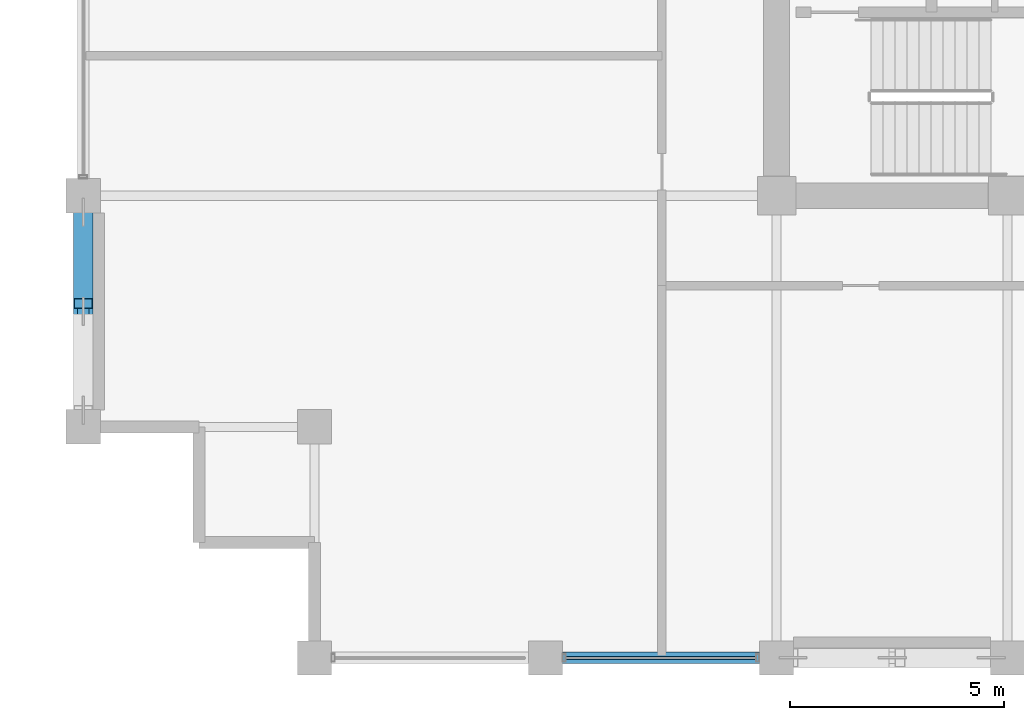
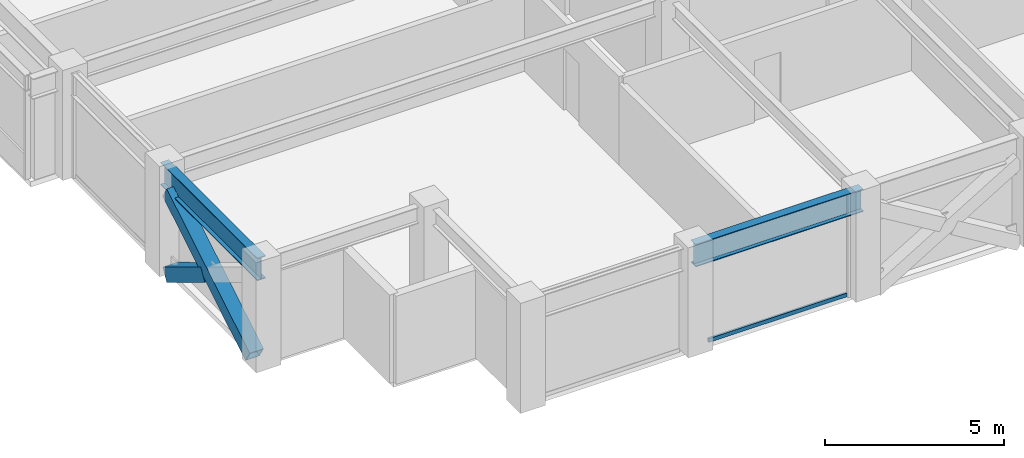
# One storey, part 3 of 32: 3 members, 2 beams, 1 element without a shape of its own.
"""IFC4 building model written with IfcOpenShell, lengths in metres."""

from ifc_helpers import new_model, si_unit, direction, frame, origin, origin_2d, place, context, subcontext, project, spatial, hollow_rectangle, i_section, extrude, material, layer, layer_set, material_profile, profile_set, type_object, element, aggregate, save


model = new_model("IFC4")

# Units and contexts
model_context = context("Model", 3, precision=1e-05, world=origin(), true_north=direction((0.0, 1.0)))
body_context = subcontext(model_context, "Body", "Model", "MODEL_VIEW")
ifc_project = project(units=[si_unit("LENGTHUNIT", "METRE"), si_unit("AREAUNIT", "SQUARE_METRE"), si_unit("VOLUMEUNIT", "CUBIC_METRE"), si_unit("PLANEANGLEUNIT", "RADIAN"), si_unit("MASSUNIT", "GRAM", prefix="KILO")], contexts=[model_context])

# Site, building, storey
site_placement = place(None, origin())
site = spatial("IfcSite", under=ifc_project, at=site_placement, CompositionType="ELEMENT")
building_placement = place(site_placement, origin())
building = spatial("IfcBuilding", under=site, at=building_placement, Name="Surkhivell Harbour Commons", CompositionType="ELEMENT")
storey_placement = place(building_placement, frame((0.0, 0.0, 234.75)))
storey = spatial("IfcBuildingStorey", under=building, at=storey_placement, Name="L61", CompositionType="ELEMENT", Elevation=234.75)

# Beams
ifc_material_1 = material(Name="Steel S355", Category="steel")
ifc_material_profile_1 = material_profile(ifc_material_1, i_section(OverallWidth=0.26806640625, OverallDepth=0.77001953125, WebThickness=0.015625, FlangeThickness=0.025390625, at=origin_2d()), Name="UB762x267x197")
ifc_profile_set_1 = profile_set([ifc_material_profile_1], Name="Steel S355")
beam_type = type_object("IfcBeamType", Name="BM-SPN-762", PredefinedType="SPANDREL", material=ifc_profile_set_1)
for number, where, z_axis, x_axis, name in (
    (1, (-27.0, -16.199951171875, 3.18505859375), (0.0, 1.0, 0.0), (-1.0, 0.0, 0.0), "L61 Tube Spandrel (-27.0,-16.2)"),
    (2, (-16.199951171875, -21.60009765625, 3.18505859375), (1.0, 0.0, 0.0), (0.0, 1.0, 0.0), "L61 Tube Spandrel (-16.2,-21.6)"),
):
    element("IfcBeam", number, at=place(storey_placement, frame(where, z_axis=z_axis, x_axis=x_axis)), inside=storey, type_object=beam_type, Name=name, PredefinedType="SPANDREL", context=body_context, shape_type="SweptSolid", body=[
        extrude(i_section(OverallWidth=0.26806640625, OverallDepth=0.77001953125, WebThickness=0.015625, FlangeThickness=0.025390625, at=origin_2d()), origin(), (0.0, 0.0, 1.0), 5.39990234375),
    ])

# Curtain wall, member
ifc_material_2 = material(Name="Anodised pale-metal aluminium and insulated glazing", Category="aluminium")
ifc_layer = layer(ifc_material_2, 0.18994140625)
ifc_layer_set = layer_set([ifc_layer], Name="Anodised pale-metal aluminium and insulated glazing")
curtain_wall_type = type_object("IfcCurtainWallType", Name="CW-SYS-Z3", PredefinedType="NOTDEFINED", material=ifc_layer_set)
curtain_wall_placement = place(storey_placement, origin())
curtain_wall = element("IfcCurtainWall", 3, at=curtain_wall_placement, inside=storey, type_object=curtain_wall_type, Name="L61 Curtain Wall CW-L61-E00S1", PredefinedType="NOTDEFINED")
ifc_material_3 = material(Name="Champagne anodised aluminium alloy 6063-T6", Category="aluminium")
ifc_material_profile_2 = material_profile(ifc_material_3, hollow_rectangle(XDim=0.070068359375, YDim=0.1298828125, WallThickness=0.00341796875, at=origin_2d()), Name="ALU-TRAN-70x130")
ifc_profile_set_2 = profile_set([ifc_material_profile_2], Name="Champagne anodised aluminium alloy 6063-T6")
member_type_1 = type_object("IfcMemberType", Name="CWT-130", PredefinedType="USERDEFINED", material=ifc_profile_set_2)
member_1_placement = place(storey_placement, frame((-15.722900390625, -21.60009765625, 0.06494140625), z_axis=(1.0, 0.0, 0.0), x_axis=(0.0, 1.0, 0.0)))
member_1 = element("IfcMember", 4, at=member_1_placement, type_object=member_type_1, Name="CW-Z3 transom 2.1", ObjectType="TRANSOM", PredefinedType="USERDEFINED", context=body_context, shape_type="SweptSolid", body=[
    extrude(hollow_rectangle(XDim=0.070068359375, YDim=0.1298828125, WallThickness=0.00341796875, at=origin_2d()), origin(), (0.0, 0.0, 1.0), 4.44580078125),
])
aggregate(curtain_wall, [member_1])

# Members
ifc_material_4 = material(Name="Steel S460", Category="steel")
ifc_material_profile_3 = material_profile(ifc_material_4, hollow_rectangle(XDim=0.449951171875, YDim=0.449951171875, WallThickness=0.02197265625, at=origin_2d()), Name="SHS450x450x22")
ifc_profile_set_3 = profile_set([ifc_material_profile_3], Name="Steel S460")
member_type_2 = type_object("IfcMemberType", Name="MEM-BRC-SHS450", PredefinedType="BRACE", material=ifc_profile_set_3)
member_2_placement = place(storey_placement, frame((-27.0, -15.81494140625, 0.008056640625), z_axis=(0.0, 0.856023742961, 0.516936506243), x_axis=(-1.0, 0.0, 0.0)))
element("IfcMember", 5, at=member_2_placement, inside=storey, type_object=member_type_2, Name="L61 Perimeter Mega-Brace MB- 10", PredefinedType="BRACE", context=body_context, shape_type="SweptSolid", body=[
    extrude(hollow_rectangle(XDim=0.449951171875, YDim=0.449951171875, WallThickness=0.02197265625, at=origin_2d()), origin(), (0.0, 0.0, 1.0), 5.40869140625),
])
member_3_placement = place(storey_placement, frame((-27.0, -11.18505859375, 0.008056640625), z_axis=(0.0, -0.856061168755, 0.516874525731), x_axis=(1.0, 0.0, 0.0)))
element("IfcMember", 6, at=member_3_placement, inside=storey, type_object=member_type_2, Name="L61 Perimeter Mega-Brace MB- 11", PredefinedType="BRACE", context=body_context, shape_type="SweptSolid", body=[
    extrude(hollow_rectangle(XDim=0.449951171875, YDim=0.449951171875, WallThickness=0.02197265625, at=origin_2d()), origin(), (0.0, 0.0, 1.0), 2.48828125),
])

save(model, "model.ifc")
